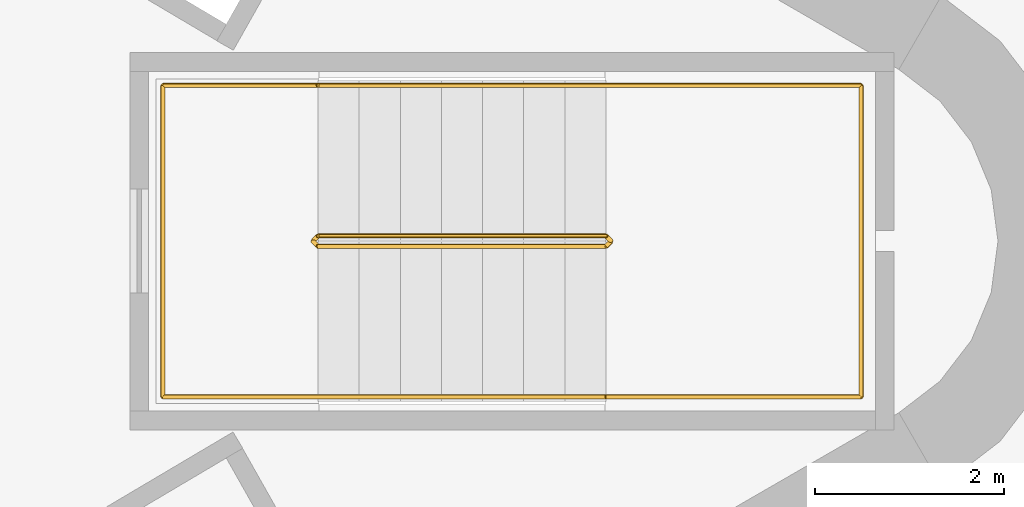
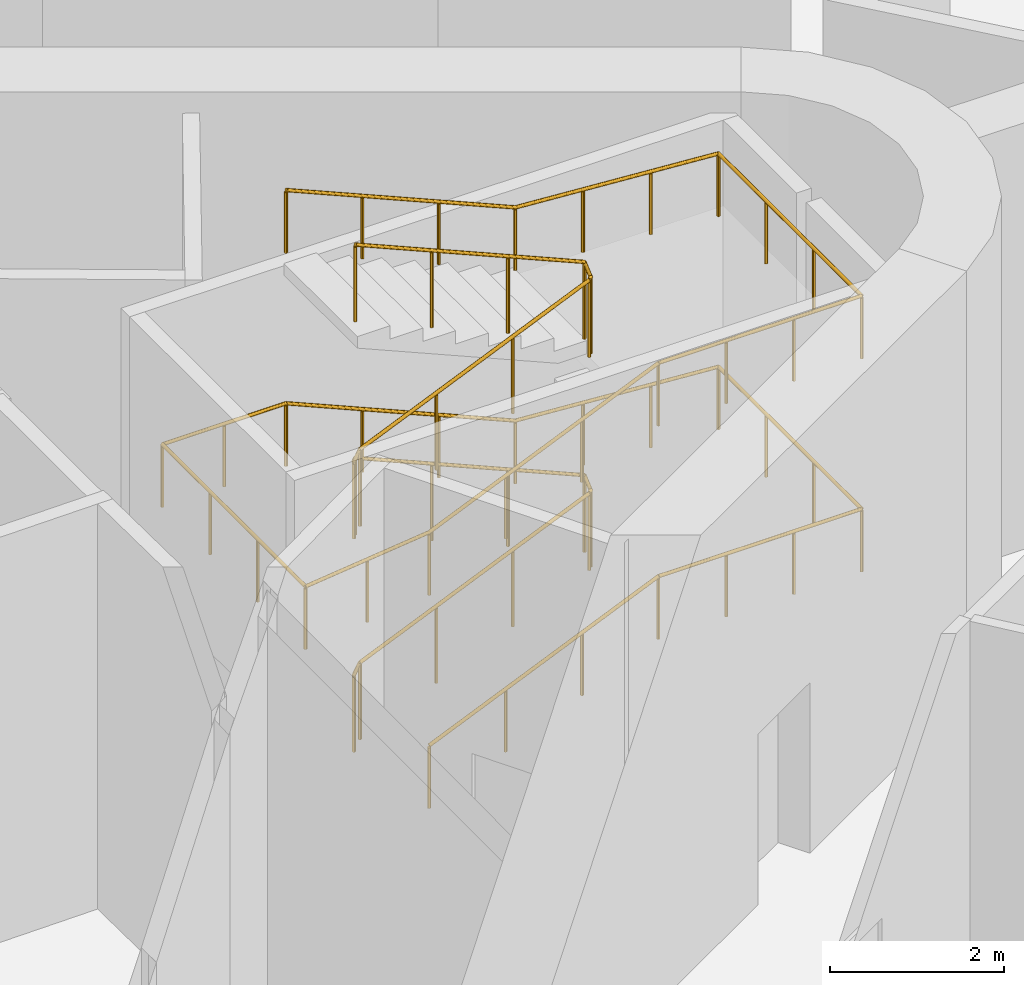
# One storey, part 12 of 12: 2 railings.
"""IFC4 building model written with IfcOpenShell, lengths in metres."""

from ifc_helpers import new_model, si_unit, direction, frame, origin, origin_2d, place, context, subcontext, project, spatial, circle, extrude, material, type_object, element, save


model = new_model("IFC4")

# Units and contexts
model_context = context("Model", 3, precision=1e-05, world=origin(), true_north=direction((0.0, 1.0)))
body_context = subcontext(model_context, "Body", "Model", "MODEL_VIEW")
ifc_project = project(units=[si_unit("LENGTHUNIT", "METRE"), si_unit("AREAUNIT", "SQUARE_METRE"), si_unit("VOLUMEUNIT", "CUBIC_METRE"), si_unit("PLANEANGLEUNIT", "RADIAN"), si_unit("MASSUNIT", "GRAM", prefix="KILO")], contexts=[model_context])

# Site, building, storey
site_placement = place(None, origin())
site = spatial("IfcSite", under=ifc_project, at=site_placement, CompositionType="ELEMENT")
building_placement = place(site_placement, origin())
building = spatial("IfcBuilding", under=site, at=building_placement, Name="Tanit Gate Tower", CompositionType="ELEMENT")
storey_placement = place(building_placement, frame((0.0, 0.0, 292.699951171875)))
storey = spatial("IfcBuildingStorey", under=building, at=storey_placement, Name="L65", CompositionType="ELEMENT", Elevation=292.699951171875)

# Railings
ifc_material_1 = material(Name="Stainless steel balustrade", Category="steel")
railing_type_1 = type_object("IfcRailingType", Name="INT-STAIR-GUARD", PredefinedType="GUARDRAIL", material=ifc_material_1)
railing_1_placement = place(storey_placement, frame((13.044921875, 0.0048828125, 0.0)))
element("IfcRailing", 1, at=railing_1_placement, inside=storey, type_object=railing_type_1, Name="L65 S1 stair guard 1", PredefinedType="GUARDRAIL", context=body_context, shape_type="SweptSolid", body=[
    extrude(circle(Radius=0.02392578125, at=origin_2d()), frame((0.0, 0.0, 1.076171875), z_axis=(0.0, -1.0, 0.0), x_axis=(1.0, 0.0, 0.0)), (0.0, 0.0, 1.0), 0.009765625),
    extrude(circle(Radius=0.02392578125, at=origin_2d()), frame((0.0, -0.009765625, 1.076171875), z_axis=(0.249726431254, -0.249726431254, 0.935560483917), x_axis=(0.707106781187, 0.707106781187, 0.0)), (0.0, 0.0, 1.0), 0.200439453125),
    extrude(circle(Radius=0.02392578125, at=origin_2d()), frame((0.050048828125, -0.059814453125, 1.263671875), z_axis=(0.918608089886, 0.0, 0.395169808052), x_axis=(0.0, 1.0, 0.0)), (0.0, 0.0, 1.0), 3.3212890625),
    extrude(circle(Radius=0.02392578125, at=origin_2d()), frame((3.10107421875, -0.059814453125, 2.576171875), z_axis=(0.707106781187, 0.707106781187, 0.0), x_axis=(-0.707106781187, 0.707106781187, 0.0)), (0.0, 0.0, 1.0), 0.07080078125),
    extrude(circle(Radius=0.02392578125, at=origin_2d()), frame((3.151123046875, -0.009765625, 2.576171875), z_axis=(0.0, 1.0, 0.0), x_axis=(-1.0, 0.0, 0.0)), (0.0, 0.0, 1.0), 0.009765625),
    extrude(circle(Radius=0.02392578125, at=origin_2d()), frame((3.151123046875, 0.0, 2.576171875), z_axis=(-0.249726431254, 0.249726431254, 0.935560483917), x_axis=(-0.707106781187, -0.707106781187, 0.0)), (0.0, 0.0, 1.0), 0.200439453125),
    extrude(circle(Radius=0.02392578125, at=origin_2d()), frame((3.10107421875, 0.050048828125, 2.763671875), z_axis=(-0.918608089886, 0.0, 0.395169808052), x_axis=(0.0, -1.0, 0.0)), (0.0, 0.0, 1.0), 3.3212890625),
    extrude(circle(Radius=0.02392578125, at=origin_2d()), frame((0.050048828125, 0.050048828125, 4.076171875), z_axis=(-0.707106781187, -0.707106781187, 0.0), x_axis=(0.707106781187, -0.707106781187, 0.0)), (0.0, 0.0, 1.0), 0.07080078125),
    extrude(circle(Radius=0.02392578125, at=origin_2d()), frame((0.0, 0.0, 4.076171875), z_axis=(0.0, -1.0, 0.0), x_axis=(1.0, 0.0, 0.0)), (0.0, 0.0, 1.0), 0.009765625),
    extrude(circle(Radius=0.02392578125, at=origin_2d()), frame((0.0, -0.009765625, 4.076171875), z_axis=(0.249726431254, -0.249726431254, 0.935560483917), x_axis=(0.707106781187, 0.707106781187, 0.0)), (0.0, 0.0, 1.0), 0.200439453125),
    extrude(circle(Radius=0.02392578125, at=origin_2d()), frame((0.050048828125, -0.059814453125, 4.263671875), z_axis=(0.918608089886, 0.0, 0.395169808052), x_axis=(0.0, 1.0, 0.0)), (0.0, 0.0, 1.0), 3.3212890625),
    extrude(circle(Radius=0.02392578125, at=origin_2d()), frame((3.10107421875, -0.059814453125, 5.576171875), z_axis=(0.707106781187, 0.707106781187, 0.0), x_axis=(-0.707106781187, 0.707106781187, 0.0)), (0.0, 0.0, 1.0), 0.07080078125),
    extrude(circle(Radius=0.02392578125, at=origin_2d()), frame((3.151123046875, -0.009765625, 5.576171875), z_axis=(0.0, 1.0, 0.0), x_axis=(-1.0, 0.0, 0.0)), (0.0, 0.0, 1.0), 0.009765625),
    extrude(circle(Radius=0.02392578125, at=origin_2d()), frame((3.151123046875, 0.0, 5.576171875), z_axis=(-0.249726431254, 0.249726431254, 0.935560483917), x_axis=(-0.707106781187, -0.707106781187, 0.0)), (0.0, 0.0, 1.0), 0.200439453125),
    extrude(circle(Radius=0.02392578125, at=origin_2d()), frame((3.10107421875, 0.050048828125, 5.763671875), z_axis=(-0.918608089886, 0.0, 0.395169808052), x_axis=(0.0, -1.0, 0.0)), (0.0, 0.0, 1.0), 3.3212890625),
    extrude(circle(Radius=0.02099609375, at=origin_2d()), origin(), (0.0, 0.0, 1.0), 1.052001953125),
    extrude(circle(Radius=0.02099609375, at=origin_2d()), frame((0.0, -0.009765625, 0.0)), (0.0, 0.0, 1.0), 1.052001953125),
    extrude(circle(Radius=0.02099609375, at=origin_2d()), frame((0.050048828125, -0.059814453125, 0.1875)), (0.0, 0.0, 1.0), 1.052001953125),
    extrude(circle(Radius=0.02099609375, at=origin_2d()), frame((1.067138671875, -0.059814453125, 0.625)), (0.0, 0.0, 1.0), 1.052001953125),
    extrude(circle(Radius=0.02099609375, at=origin_2d()), frame((2.083984375, -0.059814453125, 1.0625)), (0.0, 0.0, 1.0), 1.052001953125),
    extrude(circle(Radius=0.02099609375, at=origin_2d()), frame((3.10107421875, -0.059814453125, 1.5)), (0.0, 0.0, 1.0), 1.052001953125),
    extrude(circle(Radius=0.02099609375, at=origin_2d()), frame((3.151123046875, -0.009765625, 1.5)), (0.0, 0.0, 1.0), 1.052001953125),
    extrude(circle(Radius=0.02099609375, at=origin_2d()), frame((3.151123046875, 0.0, 1.5)), (0.0, 0.0, 1.0), 1.052001953125),
    extrude(circle(Radius=0.02099609375, at=origin_2d()), frame((3.10107421875, 0.050048828125, 1.6875)), (0.0, 0.0, 1.0), 1.052001953125),
    extrude(circle(Radius=0.02099609375, at=origin_2d()), frame((2.083984375, 0.050048828125, 2.125)), (0.0, 0.0, 1.0), 1.052001953125),
    extrude(circle(Radius=0.02099609375, at=origin_2d()), frame((1.067138671875, 0.050048828125, 2.5625)), (0.0, 0.0, 1.0), 1.052001953125),
    extrude(circle(Radius=0.02099609375, at=origin_2d()), frame((0.050048828125, 0.050048828125, 3.0)), (0.0, 0.0, 1.0), 1.052001953125),
    extrude(circle(Radius=0.02099609375, at=origin_2d()), frame((0.0, 0.0, 3.0)), (0.0, 0.0, 1.0), 1.052001953125),
    extrude(circle(Radius=0.02099609375, at=origin_2d()), frame((0.0, -0.009765625, 3.0)), (0.0, 0.0, 1.0), 1.052001953125),
    extrude(circle(Radius=0.02099609375, at=origin_2d()), frame((0.050048828125, -0.059814453125, 3.1875)), (0.0, 0.0, 1.0), 1.052001953125),
    extrude(circle(Radius=0.02099609375, at=origin_2d()), frame((1.067138671875, -0.059814453125, 3.625)), (0.0, 0.0, 1.0), 1.052001953125),
    extrude(circle(Radius=0.02099609375, at=origin_2d()), frame((2.083984375, -0.059814453125, 4.0625)), (0.0, 0.0, 1.0), 1.052001953125),
    extrude(circle(Radius=0.02099609375, at=origin_2d()), frame((3.10107421875, -0.059814453125, 4.5)), (0.0, 0.0, 1.0), 1.052001953125),
    extrude(circle(Radius=0.02099609375, at=origin_2d()), frame((3.151123046875, -0.009765625, 4.5)), (0.0, 0.0, 1.0), 1.052001953125),
    extrude(circle(Radius=0.02099609375, at=origin_2d()), frame((3.151123046875, 0.0, 4.5)), (0.0, 0.0, 1.0), 1.052001953125),
    extrude(circle(Radius=0.02099609375, at=origin_2d()), frame((3.10107421875, 0.050048828125, 4.6875)), (0.0, 0.0, 1.0), 1.052001953125),
    extrude(circle(Radius=0.02099609375, at=origin_2d()), frame((2.083984375, 0.050048828125, 5.125)), (0.0, 0.0, 1.0), 1.052001953125),
    extrude(circle(Radius=0.02099609375, at=origin_2d()), frame((1.067138671875, 0.050048828125, 5.5625)), (0.0, 0.0, 1.0), 1.052001953125),
    extrude(circle(Radius=0.02099609375, at=origin_2d()), frame((0.050048828125, 0.050048828125, 6.0)), (0.0, 0.0, 1.0), 1.052001953125),
])
ifc_material_2 = material(Name="Stainless steel handrail", Category="steel")
railing_type_2 = type_object("IfcRailingType", Name="INT-STAIR-HANDRAIL", PredefinedType="HANDRAIL", material=ifc_material_2)
railing_2_placement = place(storey_placement, frame((13.094970703125, -1.64990234375, 0.1875)))
element("IfcRailing", 2, at=railing_2_placement, inside=storey, type_object=railing_type_2, Name="L65 S1 stair handrail 1", PredefinedType="HANDRAIL", context=body_context, shape_type="SweptSolid", body=[
    extrude(circle(Radius=0.02392578125, at=origin_2d()), frame((0.0, 0.0, 0.8759765625), z_axis=(0.918608089886, 0.0, 0.395169808052), x_axis=(0.0, 1.0, 0.0)), (0.0, 0.0, 1.0), 3.3212890625),
    extrude(circle(Radius=0.02392578125, at=origin_2d()), frame((3.051025390625, 0.0, 2.1884765625), z_axis=(1.0, 0.0, 0.0), x_axis=(0.0, 1.0, 0.0)), (0.0, 0.0, 1.0), 2.7041015625),
    extrude(circle(Radius=0.02392578125, at=origin_2d()), frame((5.755126953125, 0.0, 2.1884765625), z_axis=(0.0, 1.0, 0.0), x_axis=(-1.0, 0.0, 0.0)), (0.0, 0.0, 1.0), 3.2998046875),
    extrude(circle(Radius=0.02392578125, at=origin_2d()), frame((5.755126953125, 3.2998046875, 2.1884765625), z_axis=(-0.997604677724, 0.0, 0.069173022074), x_axis=(0.0, -1.0, 0.0)), (0.0, 0.0, 1.0), 2.710693359375),
    extrude(circle(Radius=0.02392578125, at=origin_2d()), frame((3.051025390625, 3.2998046875, 2.3759765625), z_axis=(-0.918608089886, 0.0, 0.395169808052), x_axis=(0.0, -1.0, 0.0)), (0.0, 0.0, 1.0), 3.3212890625),
    extrude(circle(Radius=0.02392578125, at=origin_2d()), frame((0.0, 3.2998046875, 3.6884765625), z_axis=(-1.0, 0.0, 0.0), x_axis=(0.0, -1.0, 0.0)), (0.0, 0.0, 1.0), 1.64501953125),
    extrude(circle(Radius=0.02392578125, at=origin_2d()), frame((-1.64501953125, 3.2998046875, 3.6884765625), z_axis=(0.0, -1.0, 0.0), x_axis=(1.0, 0.0, 0.0)), (0.0, 0.0, 1.0), 3.2998046875),
    extrude(circle(Radius=0.02392578125, at=origin_2d()), frame((-1.64501953125, 0.0, 3.6884765625), z_axis=(0.99356684807, 0.0, 0.113247156325), x_axis=(0.0, 1.0, 0.0)), (0.0, 0.0, 1.0), 1.65576171875),
    extrude(circle(Radius=0.02392578125, at=origin_2d()), frame((0.0, 0.0, 3.8759765625), z_axis=(0.918608089886, 0.0, 0.395169808052), x_axis=(0.0, 1.0, 0.0)), (0.0, 0.0, 1.0), 3.3212890625),
    extrude(circle(Radius=0.02392578125, at=origin_2d()), frame((3.051025390625, 0.0, 5.1884765625), z_axis=(1.0, 0.0, 0.0), x_axis=(0.0, 1.0, 0.0)), (0.0, 0.0, 1.0), 2.7041015625),
    extrude(circle(Radius=0.02392578125, at=origin_2d()), frame((5.755126953125, 0.0, 5.1884765625), z_axis=(0.0, 1.0, 0.0), x_axis=(-1.0, 0.0, 0.0)), (0.0, 0.0, 1.0), 3.2998046875),
    extrude(circle(Radius=0.02392578125, at=origin_2d()), frame((5.755126953125, 3.2998046875, 5.1884765625), z_axis=(-0.997604677724, 0.0, 0.069173022074), x_axis=(0.0, -1.0, 0.0)), (0.0, 0.0, 1.0), 2.710693359375),
    extrude(circle(Radius=0.02392578125, at=origin_2d()), frame((3.051025390625, 3.2998046875, 5.3759765625), z_axis=(-0.918608089886, 0.0, 0.395169808052), x_axis=(0.0, -1.0, 0.0)), (0.0, 0.0, 1.0), 3.3212890625),
    extrude(circle(Radius=0.02099609375, at=origin_2d()), origin(), (0.0, 0.0, 1.0), 0.851806640625),
    extrude(circle(Radius=0.02099609375, at=origin_2d()), frame((1.01708984375, 0.0, 0.4375)), (0.0, 0.0, 1.0), 0.851806640625),
    extrude(circle(Radius=0.02099609375, at=origin_2d()), frame((2.033935546875, 0.0, 0.875)), (0.0, 0.0, 1.0), 0.851806640625),
    extrude(circle(Radius=0.02099609375, at=origin_2d()), frame((3.051025390625, 0.0, 1.3125)), (0.0, 0.0, 1.0), 0.851806640625),
    extrude(circle(Radius=0.02099609375, at=origin_2d()), frame((3.952392578125, 0.0, 1.3125)), (0.0, 0.0, 1.0), 0.851806640625),
    extrude(circle(Radius=0.02099609375, at=origin_2d()), frame((4.853759765625, 0.0, 1.3125)), (0.0, 0.0, 1.0), 0.851806640625),
    extrude(circle(Radius=0.02099609375, at=origin_2d()), frame((5.755126953125, 0.0, 1.3125)), (0.0, 0.0, 1.0), 0.851806640625),
    extrude(circle(Radius=0.02099609375, at=origin_2d()), frame((5.755126953125, 1.099853515625, 1.3125)), (0.0, 0.0, 1.0), 0.851806640625),
    extrude(circle(Radius=0.02099609375, at=origin_2d()), frame((5.755126953125, 2.199951171875, 1.3125)), (0.0, 0.0, 1.0), 0.851806640625),
    extrude(circle(Radius=0.02099609375, at=origin_2d()), frame((5.755126953125, 3.2998046875, 1.3125)), (0.0, 0.0, 1.0), 0.851806640625),
    extrude(circle(Radius=0.02099609375, at=origin_2d()), frame((4.853759765625, 3.2998046875, 1.375)), (0.0, 0.0, 1.0), 0.851806640625),
    extrude(circle(Radius=0.02099609375, at=origin_2d()), frame((3.952392578125, 3.2998046875, 1.4375)), (0.0, 0.0, 1.0), 0.851806640625),
    extrude(circle(Radius=0.02099609375, at=origin_2d()), frame((3.051025390625, 3.2998046875, 1.5)), (0.0, 0.0, 1.0), 0.851806640625),
    extrude(circle(Radius=0.02099609375, at=origin_2d()), frame((2.033935546875, 3.2998046875, 1.9375)), (0.0, 0.0, 1.0), 0.851806640625),
    extrude(circle(Radius=0.02099609375, at=origin_2d()), frame((1.01708984375, 3.2998046875, 2.375)), (0.0, 0.0, 1.0), 0.851806640625),
    extrude(circle(Radius=0.02099609375, at=origin_2d()), frame((0.0, 3.2998046875, 2.8125)), (0.0, 0.0, 1.0), 0.851806640625),
    extrude(circle(Radius=0.02099609375, at=origin_2d()), frame((-0.822509765625, 3.2998046875, 2.8125)), (0.0, 0.0, 1.0), 0.851806640625),
    extrude(circle(Radius=0.02099609375, at=origin_2d()), frame((-1.64501953125, 3.2998046875, 2.8125)), (0.0, 0.0, 1.0), 0.851806640625),
    extrude(circle(Radius=0.02099609375, at=origin_2d()), frame((-1.64501953125, 2.199951171875, 2.8125)), (0.0, 0.0, 1.0), 0.851806640625),
    extrude(circle(Radius=0.02099609375, at=origin_2d()), frame((-1.64501953125, 1.099853515625, 2.8125)), (0.0, 0.0, 1.0), 0.851806640625),
    extrude(circle(Radius=0.02099609375, at=origin_2d()), frame((-1.64501953125, 0.0, 2.8125)), (0.0, 0.0, 1.0), 0.851806640625),
    extrude(circle(Radius=0.02099609375, at=origin_2d()), frame((-0.822509765625, 0.0, 2.90625)), (0.0, 0.0, 1.0), 0.851806640625),
    extrude(circle(Radius=0.02099609375, at=origin_2d()), frame((0.0, 0.0, 3.0)), (0.0, 0.0, 1.0), 0.851806640625),
    extrude(circle(Radius=0.02099609375, at=origin_2d()), frame((1.01708984375, 0.0, 3.4375)), (0.0, 0.0, 1.0), 0.851806640625),
    extrude(circle(Radius=0.02099609375, at=origin_2d()), frame((2.033935546875, 0.0, 3.875)), (0.0, 0.0, 1.0), 0.851806640625),
    extrude(circle(Radius=0.02099609375, at=origin_2d()), frame((3.051025390625, 0.0, 4.3125)), (0.0, 0.0, 1.0), 0.851806640625),
    extrude(circle(Radius=0.02099609375, at=origin_2d()), frame((3.952392578125, 0.0, 4.3125)), (0.0, 0.0, 1.0), 0.851806640625),
    extrude(circle(Radius=0.02099609375, at=origin_2d()), frame((4.853759765625, 0.0, 4.3125)), (0.0, 0.0, 1.0), 0.851806640625),
    extrude(circle(Radius=0.02099609375, at=origin_2d()), frame((5.755126953125, 0.0, 4.3125)), (0.0, 0.0, 1.0), 0.851806640625),
    extrude(circle(Radius=0.02099609375, at=origin_2d()), frame((5.755126953125, 1.099853515625, 4.3125)), (0.0, 0.0, 1.0), 0.851806640625),
    extrude(circle(Radius=0.02099609375, at=origin_2d()), frame((5.755126953125, 2.199951171875, 4.3125)), (0.0, 0.0, 1.0), 0.851806640625),
    extrude(circle(Radius=0.02099609375, at=origin_2d()), frame((5.755126953125, 3.2998046875, 4.3125)), (0.0, 0.0, 1.0), 0.851806640625),
    extrude(circle(Radius=0.02099609375, at=origin_2d()), frame((4.853759765625, 3.2998046875, 4.375)), (0.0, 0.0, 1.0), 0.851806640625),
    extrude(circle(Radius=0.02099609375, at=origin_2d()), frame((3.952392578125, 3.2998046875, 4.4375)), (0.0, 0.0, 1.0), 0.851806640625),
    extrude(circle(Radius=0.02099609375, at=origin_2d()), frame((3.051025390625, 3.2998046875, 4.5)), (0.0, 0.0, 1.0), 0.851806640625),
    extrude(circle(Radius=0.02099609375, at=origin_2d()), frame((2.033935546875, 3.2998046875, 4.9375)), (0.0, 0.0, 1.0), 0.851806640625),
    extrude(circle(Radius=0.02099609375, at=origin_2d()), frame((1.01708984375, 3.2998046875, 5.375)), (0.0, 0.0, 1.0), 0.851806640625),
    extrude(circle(Radius=0.02099609375, at=origin_2d()), frame((0.0, 3.2998046875, 5.8125)), (0.0, 0.0, 1.0), 0.851806640625),
])

save(model, "model.ifc")
